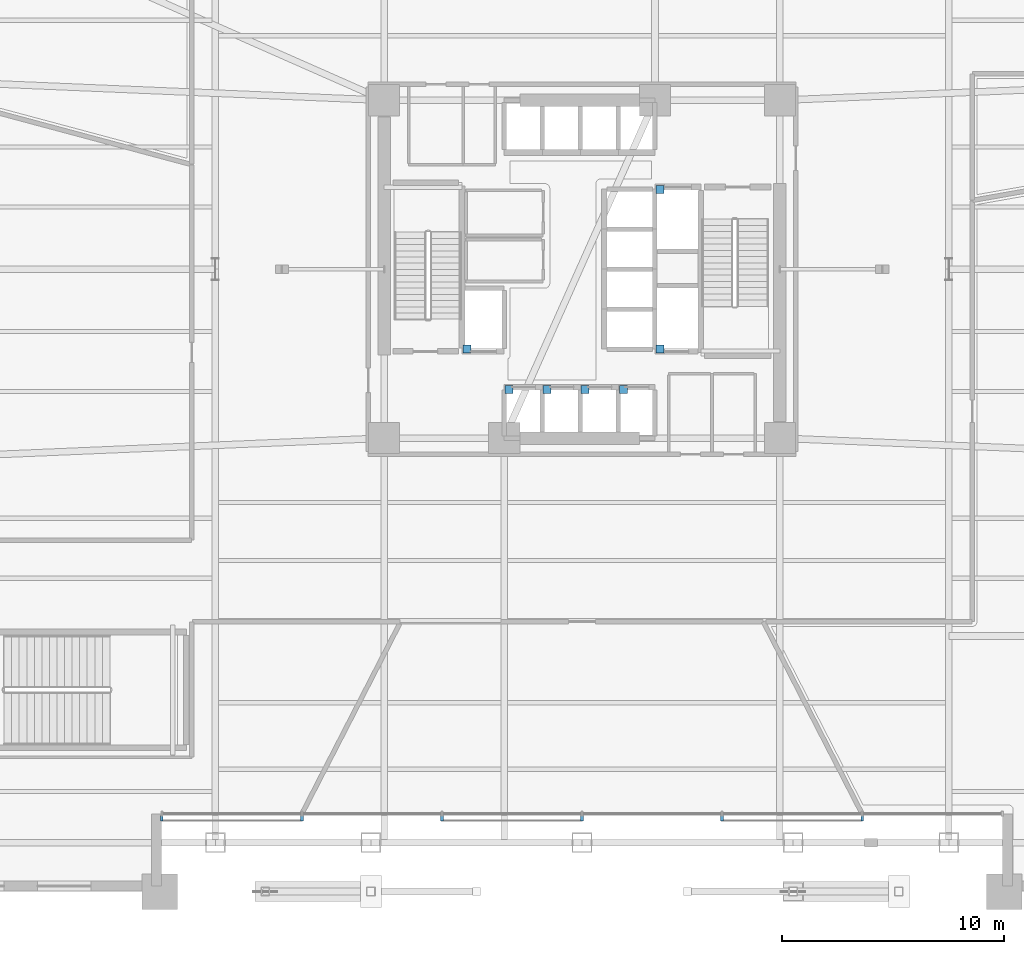
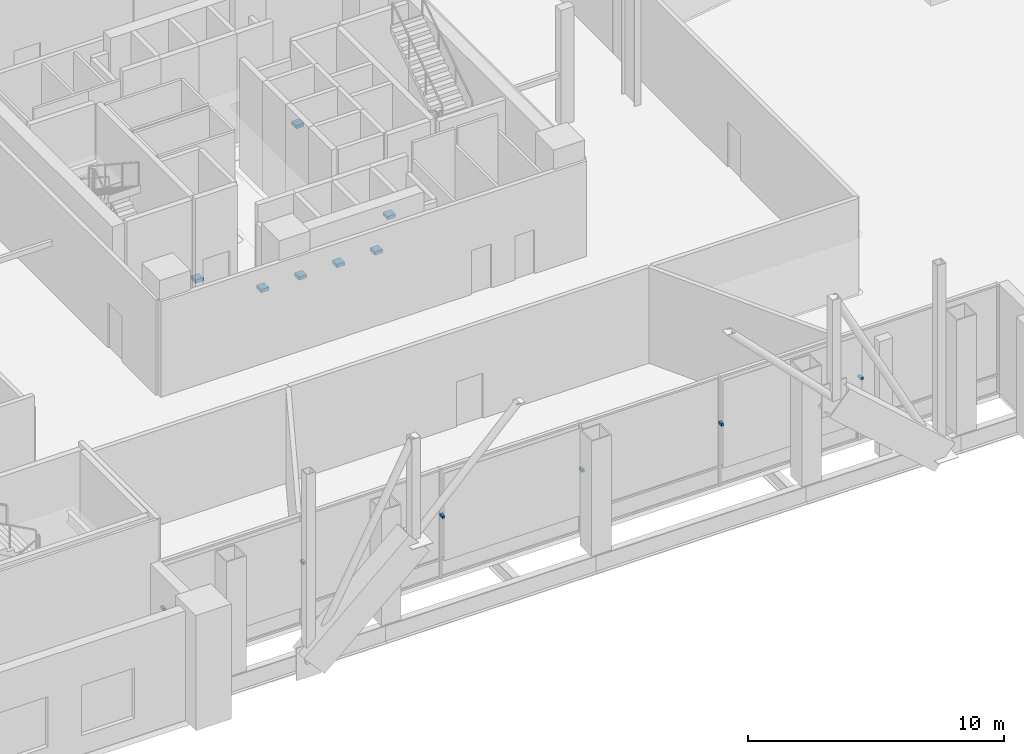
# One storey, part 12 of 16: 13 discrete accessories.
"""IFC4 building model written with IfcOpenShell, lengths in metres."""

from ifc_helpers import new_model, si_unit, direction, frame, origin, origin_2d, place, context, subcontext, project, spatial, rectangle, extrude, material, type_object, element, save


model = new_model("IFC4")

# Units and contexts
model_context = context("Model", 3, precision=1e-05, world=origin(), true_north=direction((0.0, 1.0)))
body_context = subcontext(model_context, "Body", "Model", "MODEL_VIEW")
ifc_project = project(units=[si_unit("LENGTHUNIT", "METRE"), si_unit("AREAUNIT", "SQUARE_METRE"), si_unit("VOLUMEUNIT", "CUBIC_METRE"), si_unit("PLANEANGLEUNIT", "RADIAN"), si_unit("MASSUNIT", "GRAM", prefix="KILO")], contexts=[model_context])

# Site, building, storey
site_placement = place(None, origin())
site = spatial("IfcSite", under=ifc_project, at=site_placement, CompositionType="ELEMENT")
building_placement = place(site_placement, origin())
building = spatial("IfcBuilding", under=site, at=building_placement, Name="Tharavind Bronze Gate", CompositionType="ELEMENT")
storey_placement = place(building_placement, frame((0.0, 0.0, 5.5)))
storey = spatial("IfcBuildingStorey", under=building, at=storey_placement, Name="L01", CompositionType="ELEMENT", Elevation=5.5)

# Discrete accessories
ifc_material_1 = material(Name="Galvanised Steel S355", Category="steel")
discrete_accessory_type_1 = type_object("IfcDiscreteAccessoryType", Name="LIFT GUIDE RAIL BRACKET", PredefinedType="BRACKET", material=ifc_material_1)
for number, where, z_axis, x_axis, name in (
    (1, (-3.280029296875, -5.419921875, 1.1201171875), (0.0, 0.0, 1.0), (1.0, 0.0, 0.0), "Lift PL1 guide rail bracket at L01"),
    (2, (-1.5673828125, -5.419921875, 1.1201171875), (0.0, 0.0, 1.0), (1.0, 0.0, 0.0), "Lift PL2 guide rail bracket at L01"),
    (3, (0.14501953125, -5.419921875, 1.1201171875), (0.0, 0.0, 1.0), (1.0, 0.0, 0.0), "Lift PL3 guide rail bracket at L01"),
    (4, (1.857421875, -5.419921875, 1.1201171875), (0.0, 0.0, 1.0), (1.0, 0.0, 0.0), "Lift PL4 guide rail bracket at L01"),
    (5, (-5.179931640625, -3.580078125, 1.1201171875), (0.0, 0.0, 1.0), (1.0, 0.0, 0.0), "Lift FFL1 guide rail bracket at L01"),
    (6, (3.5, 3.580078125, 1.1201171875), (0.0, 0.0, 1.0), (1.0, 0.0, 0.0), "Lift FFL2 guide rail bracket at L01"),
    (7, (3.5, -3.580078125, 1.1201171875), (0.0, 0.0, 1.0), (1.0, 0.0, 0.0), "Lift SVL1 guide rail bracket at L01"),
):
    element("IfcDiscreteAccessory", number, at=place(storey_placement, frame(where, z_axis=z_axis, x_axis=x_axis)), inside=storey, type_object=discrete_accessory_type_1, Name=name, PredefinedType="BRACKET", context=body_context, shape_type="SweptSolid", body=[
        extrude(rectangle(XDim=0.360107421875, YDim=0.360107421875, at=origin_2d()), origin(), (0.0, 0.0, 1.0), 0.159912109375),
    ])
ifc_material_2 = material(Name="Stainless Steel 316", Category="steel")
discrete_accessory_type_2 = type_object("IfcDiscreteAccessoryType", Name="SOLAR SCREEN STANDOFF BRACKET", PredefinedType="BRACKET", material=ifc_material_2)
for number, where, z_axis, x_axis, name in (
    (8, (-18.89990234375, -24.699951171875, 3.0), (0.0, 0.0, 1.0), (1.0, 0.0, 0.0), "CW-L01-ARCH solar screen bracket 1.1"),
    (9, (-12.60009765625, -24.699951171875, 3.0), (0.0, 0.0, 1.0), (1.0, 0.0, 0.0), "CW-L01-ARCH solar screen bracket 1.2"),
    (10, (-6.300048828125, -24.699951171875, 3.0), (0.0, 0.0, 1.0), (1.0, 0.0, 0.0), "CW-L01-ARCH solar screen bracket 3.1"),
    (11, (0.0, -24.699951171875, 3.0), (0.0, 0.0, 1.0), (1.0, 0.0, 0.0), "CW-L01-ARCH solar screen bracket 3.2"),
    (12, (6.300048828125, -24.699951171875, 3.0), (0.0, 0.0, 1.0), (1.0, 0.0, 0.0), "CW-L01-ARCH solar screen bracket 5.1"),
    (13, (12.60009765625, -24.699951171875, 3.0), (0.0, 0.0, 1.0), (1.0, 0.0, 0.0), "CW-L01-ARCH solar screen bracket 5.2"),
):
    element("IfcDiscreteAccessory", number, at=place(storey_placement, frame(where, z_axis=z_axis, x_axis=x_axis)), inside=storey, type_object=discrete_accessory_type_2, Name=name, PredefinedType="BRACKET", context=body_context, shape_type="SweptSolid", body=[
        extrude(rectangle(XDim=0.1201171875, YDim=0.239990234375, at=origin_2d()), origin(), (0.0, 0.0, 1.0), 0.1201171875),
    ])

save(model, "model.ifc")
